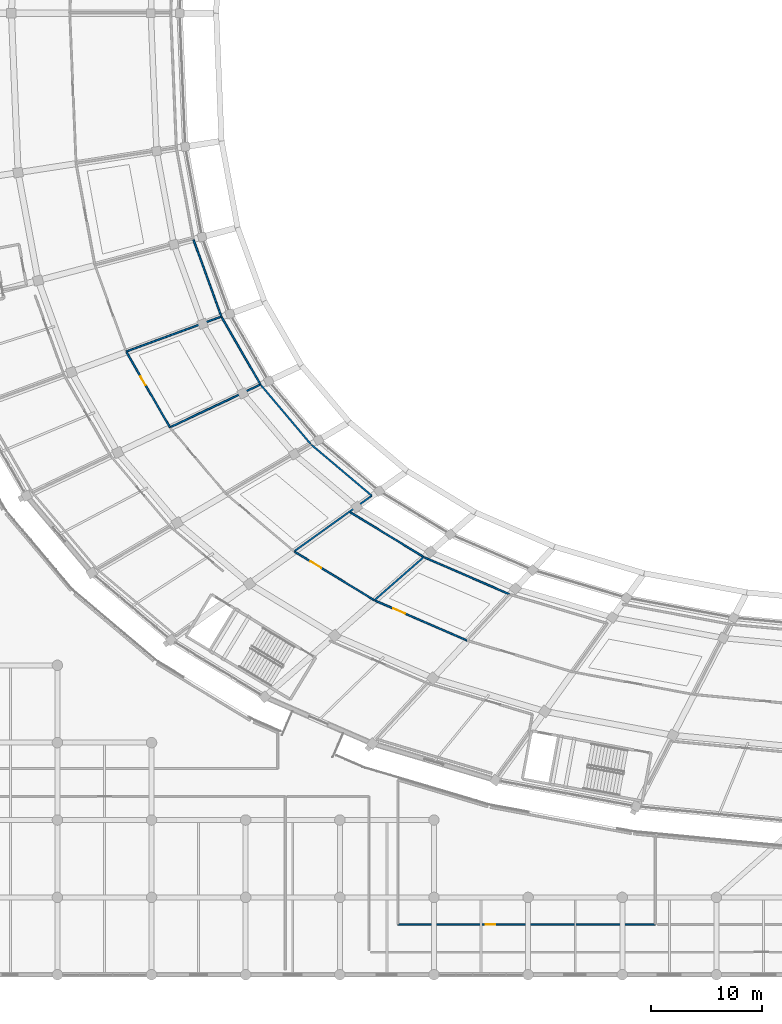
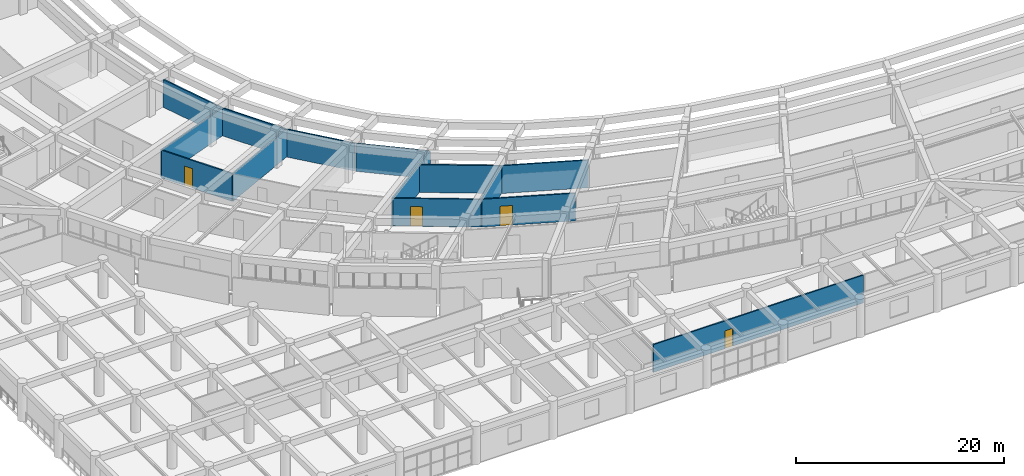
# One storey, part 94 of 145: 14 walls, 4 doors, 4 openings.
"""IFC4 building model written with IfcOpenShell, lengths in metres."""

import ifcopenshell
import ifcopenshell.guid

model = None  # the IFC model being written
_history = None  # IfcOwnerHistory: only IFC2X3 demands one
_inside = {}  # id of a spatial element -> (the spatial element, [elements in it])
_under = {}  # id of a project, library or spatial element -> (it, [spatial elements below it])
_declared = {}  # id of a project -> (the project, [libraries it declares])
_typed = {}  # id of a type object -> (the type object, [elements of that type])
_made_of = {}  # id of a material, layer set ... -> (it, [elements and type objects made of it])


def new_model(schema):
    """Start an empty IFC model of exactly this schema.

    Asked for "IFC4X3", IfcOpenShell would pick the latest addendum, in which some entities
    have other attributes; the version numbers below select the first issue.
    IFC2X3 requires an IfcOwnerHistory on every rooted entity: one is made here for all.
    """
    global model, _history
    if schema == "IFC4X3":
        model = ifcopenshell.file(schema_version=(4, 3, 0, 0))
    else:
        model = ifcopenshell.file(schema=schema)
    _inside.clear()
    _under.clear()
    _declared.clear()
    _typed.clear()
    _made_of.clear()
    _history = None
    if model.schema == "IFC2X3":
        org = make("IfcOrganization", Name="unknown")
        user = make(
            "IfcPersonAndOrganization",
            ThePerson=make("IfcPerson", FamilyName="unknown"),
            TheOrganization=org,
        )
        app = make(
            "IfcApplication",
            ApplicationDeveloper=org,
            Version="unknown",
            ApplicationFullName="unknown",
            ApplicationIdentifier="unknown",
        )
        _history = make(
            "IfcOwnerHistory",
            OwningUser=user,
            OwningApplication=app,
            ChangeAction="ADDED",
            CreationDate=0,
        )
    return model


def make(cls, **values):
    """One entity of the class cls with the attributes given. An attribute that is None is left unset."""
    return model.create_entity(
        cls, **{name: value for name, value in values.items() if value is not None}
    )


def rooted(cls, **values):
    """An entity with a GlobalId (a new one), such as an element, a storey or a relation."""
    return make(cls, GlobalId=ifcopenshell.guid.new(), OwnerHistory=_history, **values)


def si_unit(unit_type, name, prefix=None):
    """IfcSIUnit, for example si_unit("LENGTHUNIT", "METRE", prefix="MILLI")."""
    return make("IfcSIUnit", UnitType=unit_type, Prefix=prefix, Name=name)


def assignment(units):
    """IfcUnitAssignment: the units of a project."""
    return None if units is None else make("IfcUnitAssignment", Units=units)


def point(xyz):
    """IfcCartesianPoint."""
    return None if xyz is None else make("IfcCartesianPoint", Coordinates=xyz)


def direction(xyz):
    """IfcDirection."""
    return None if xyz is None else make("IfcDirection", DirectionRatios=xyz)


def frame(location, z_axis=None, x_axis=None):
    """IfcAxis2Placement3D, a coordinate frame: its origin and axes. An axis left out is left unset."""
    return make(
        "IfcAxis2Placement3D",
        Location=point(location),
        Axis=direction(z_axis),
        RefDirection=direction(x_axis),
    )


def frame_2d(location, x_axis=None):
    """IfcAxis2Placement2D, a coordinate frame in the plane: its origin and x axis."""
    return make(
        "IfcAxis2Placement2D", Location=point(location), RefDirection=direction(x_axis)
    )


def origin():
    """The frame at (0, 0, 0) with its axes left unset."""
    return frame((0.0, 0.0, 0.0))


def place(relative_to, where):
    """IfcLocalPlacement: puts the frame where relative to a parent placement (None: the world)."""
    return make(
        "IfcLocalPlacement", PlacementRelTo=relative_to, RelativePlacement=where
    )


def context(
    kind, dimensions, precision=None, world=None, true_north=None, identifier=None
):
    """IfcGeometricRepresentationContext, for example the 3D "Model" context."""
    return make(
        "IfcGeometricRepresentationContext",
        ContextIdentifier=identifier,
        ContextType=kind,
        CoordinateSpaceDimension=dimensions,
        Precision=precision,
        WorldCoordinateSystem=world,
        TrueNorth=true_north,
    )


def subcontext(parent, identifier, kind, view, scale=None):
    """IfcGeometricRepresentationSubContext, for example "Body" below "Model"."""
    return make(
        "IfcGeometricRepresentationSubContext",
        ContextIdentifier=identifier,
        ContextType=kind,
        ParentContext=parent,
        TargetScale=scale,
        TargetView=view,
    )


def project(units=None, contexts=None):
    """IfcProject with its units and contexts."""
    return rooted(
        "IfcProject",
        Name="project",
        RepresentationContexts=contexts,
        UnitsInContext=assignment(units),
    )


def spatial(cls, under=None, at=None, **own):
    """A site, building, storey or space (cls), placed at a placement, below another one or the project."""
    s = rooted(cls, ObjectPlacement=at, **own)
    if under is not None:
        _under.setdefault(under.id(), (under, []))[1].append(s)
    return s


def profile(cls, at=None, kind="AREA", **sizes):
    """A parametric profile (cls). Its sizes go by their IFC names, for example OverallWidth=200.0."""
    return make(cls, ProfileType=kind, Position=at, **sizes)


def rectangle(**sizes):
    """IfcRectangleProfileDef."""
    return profile("IfcRectangleProfileDef", **sizes)


def extrude(swept, where, along, depth):
    """IfcExtrudedAreaSolid: the profile swept, set in the frame where, extruded along a direction by depth."""
    return make(
        "IfcExtrudedAreaSolid",
        SweptArea=swept,
        Position=where,
        ExtrudedDirection=direction(along),
        Depth=depth,
    )


def shape(context_of_items, identifier, shape_type, items):
    """IfcShapeRepresentation: the items that make up one representation, for example the "Body"."""
    return make(
        "IfcShapeRepresentation",
        ContextOfItems=context_of_items,
        RepresentationIdentifier=identifier,
        RepresentationType=shape_type,
        Items=items,
    )


def material(Name=None, Category=None):
    """IfcMaterial."""
    return make("IfcMaterial", Name=Name, Category=Category)


def layer(
    of_material, thickness, ventilated=None, Name=None, Category=None, Priority=None
):
    """IfcMaterialLayer: one layer of a wall or slab, of a material (None: an air gap)."""
    return make(
        "IfcMaterialLayer",
        Material=of_material,
        LayerThickness=thickness,
        IsVentilated=ventilated,
        Name=Name,
        Category=Category,
        Priority=Priority,
    )


def layer_set(layers, Name=None):
    """IfcMaterialLayerSet."""
    return make("IfcMaterialLayerSet", MaterialLayers=layers, LayerSetName=Name)


def made_of(thing, what):
    """Note that an element or type object is made of a material, layer set ...; save() writes the relation."""
    if what is not None:
        _made_of.setdefault(what.id(), (what, []))[1].append(thing)
    return thing


def type_object(cls, material=None, **own):
    """A type object (cls), such as IfcWallType, which elements share."""
    return made_of(rooted(cls, **own), material)


def element(
    cls,
    number,
    at=None,
    inside=None,
    cuts=None,
    type_object=None,
    material=None,
    context=None,
    identifier="Body",
    shape_type=None,
    held_by="IfcProductDefinitionShape",
    body=None,
    shapes=None,
    **own,
):
    """One element of the class cls, such as IfcWall. Its Tag is "e" and its number.

    at: its placement. inside: the storey or other place that contains it. cuts: it is an
    opening in that element (IfcRelVoidsElement). A single representation is given by context,
    identifier, shape_type and body (its items); several are given by shapes. held_by: the class
    of the entity that holds the representations. save() writes the other relations.
    """
    e = rooted(cls, Tag="e%d" % number, ObjectPlacement=at, **own)
    if body is not None:
        shapes = [shape(context, identifier, shape_type, body)]
    if shapes is not None:
        e.Representation = make(held_by, Representations=shapes)
    if inside is not None:
        _inside.setdefault(inside.id(), (inside, []))[1].append(e)
    if cuts is not None:
        rooted(
            "IfcRelVoidsElement", RelatingBuildingElement=cuts, RelatedOpeningElement=e
        )
    if type_object is not None:
        _typed.setdefault(type_object.id(), (type_object, []))[1].append(e)
    return made_of(e, material)


def fill(opening, filler):
    """IfcRelFillsElement: the door or window that sits in an opening."""
    return rooted(
        "IfcRelFillsElement",
        RelatingOpeningElement=opening,
        RelatedBuildingElement=filler,
    )


def aggregate(whole, parts):
    """IfcRelAggregates: a whole, such as a stair, and the parts it consists of."""
    return rooted("IfcRelAggregates", RelatingObject=whole, RelatedObjects=parts)


def save(model, path):
    """Write the relations noted so far, then the file.

    IfcRelAggregates (storeys below a building ...), IfcRelContainedInSpatialStructure (elements
    in a storey), IfcRelDefinesByType, IfcRelAssociatesMaterial and IfcRelDeclares: one each for
    every whole, place, type object, material and project.
    """
    for whole, parts in _under.values():
        aggregate(whole, parts)
    for where, things in _inside.values():
        rooted(
            "IfcRelContainedInSpatialStructure",
            RelatedElements=things,
            RelatingStructure=where,
        )
    for kind, things in _typed.values():
        rooted("IfcRelDefinesByType", RelatedObjects=things, RelatingType=kind)
    for what, things in _made_of.values():
        rooted("IfcRelAssociatesMaterial", RelatedObjects=things, RelatingMaterial=what)
    for by, libraries in _declared.values():
        rooted("IfcRelDeclares", RelatingContext=by, RelatedDefinitions=libraries)
    model.write(path)


model = new_model("IFC4")

# Units and contexts
model_context = context("Model", 3, precision=1e-05, world=origin(), true_north=direction((0.0, 1.0)))
body_context = subcontext(model_context, "Body", "Model", "MODEL_VIEW")
ifc_project = project(units=[si_unit("LENGTHUNIT", "METRE"), si_unit("AREAUNIT", "SQUARE_METRE"), si_unit("VOLUMEUNIT", "CUBIC_METRE"), si_unit("PLANEANGLEUNIT", "RADIAN"), si_unit("MASSUNIT", "GRAM", prefix="KILO")], contexts=[model_context])

# Site, building, storey
site_placement = place(None, origin())
site = spatial("IfcSite", under=ifc_project, at=site_placement, CompositionType="ELEMENT")
building_placement = place(site_placement, origin())
building = spatial("IfcBuilding", under=site, at=building_placement, Name="Mphavela Belvedere Stadium", CompositionType="ELEMENT")
storey_placement = place(building_placement, frame((0.0, 0.0, 10.199951171875)))
storey = spatial("IfcBuildingStorey", under=building, at=storey_placement, Name="L02", CompositionType="ELEMENT", Elevation=10.199951171875)

# Wall, opening, door
ifc_material_1 = material(Name="Acoustic gypsum stud partition assembly")
ifc_layer = layer(ifc_material_1, 0.14990234375)
ifc_layer_set = layer_set([ifc_layer], Name="Acoustic gypsum stud partition assembly")
wall_type = type_object("IfcWallType", Name="WAL-PART-150", PredefinedType="PARTITIONING", material=ifc_layer_set)
wall_1_placement = place(storey_placement, frame((35.739990234375, 49.52783203125, 0.0), z_axis=(0.0, 0.0, 1.0), x_axis=(-0.500584301803, 0.865687794063, 0.0)))
wall_1 = element("IfcWall", 1, at=wall_1_placement, inside=storey, type_object=wall_type, Name="Room L02-103 corridor partition", PredefinedType="PARTITIONING", context=body_context, shape_type="SweptSolid", body=[
    extrude(rectangle(XDim=7.8369140625, YDim=0.14990234375, at=frame_2d((3.91845703125, 0.0))), origin(), (0.0, 0.0, 1.0), 3.25),
])
opening_1_placement = place(wall_1_placement, frame((4.4130859375, 0.0, 0.0)))
opening_1 = element("IfcOpeningElement", 2, at=opening_1_placement, cuts=wall_1, Name="Opening ID-205", PredefinedType="OPENING", context=body_context, shape_type="SweptSolid", body=[
    extrude(rectangle(XDim=0.89990234375, YDim=2.300048828125, at=frame_2d((0.449951171875, 1.14990234375))), frame((0.0, 0.0849609375, 0.0), z_axis=(0.0, -1.0, 0.0), x_axis=(1.0, 0.0, 0.0)), (0.0, 0.0, 1.0), 0.169921875),
])
ifc_material_2 = material(Name="Hardwood acoustic timber doorset", Category="wood")
door_type_1 = type_object("IfcDoorType", Name="DR-INT-25", OperationType="NOTDEFINED", PredefinedType="DOOR", material=ifc_material_2)
door_1_placement = place(opening_1_placement, origin())
door_1 = element("IfcDoor", 3, at=door_1_placement, inside=storey, type_object=door_type_1, Name="Room L02-103 entrance door ID-205", OperationType="SINGLE_SWING_LEFT", OverallHeight=2.300048828125, OverallWidth=0.89990234375, PredefinedType="DOOR", context=body_context, shape_type="SweptSolid", body=[
    extrude(rectangle(XDim=0.89990234375, YDim=2.300048828125, at=frame_2d((0.449951171875, 1.14990234375))), frame((0.0, 0.02490234375, 0.0), z_axis=(0.0, -1.0, 0.0), x_axis=(1.0, 0.0, 0.0)), (0.0, 0.0, 1.0), 0.050048828125),
])
fill(opening_1, door_1)

wall_2_placement = place(storey_placement, frame((54.237060546875, 33.884033203125, 0.0), z_axis=(0.0, 0.0, 1.0), x_axis=(-0.854330104408, 0.519730769439, 0.0)))
wall_2 = element("IfcWall", 4, at=wall_2_placement, inside=storey, type_object=wall_type, Name="Room L02-112 corridor partition", PredefinedType="PARTITIONING", context=body_context, shape_type="SweptSolid", body=[
    extrude(rectangle(XDim=8.420166015625, YDim=0.14990234375, at=frame_2d((4.2099609375, 0.0))), origin(), (0.0, 0.0, 1.0), 3.25),
])
opening_2_placement = place(wall_2_placement, frame((5.632080078125, 0.0, 0.0)))
opening_2 = element("IfcOpeningElement", 5, at=opening_2_placement, cuts=wall_2, Name="Opening ID-211", PredefinedType="OPENING", context=body_context, shape_type="SweptSolid", body=[
    extrude(rectangle(XDim=1.139892578125, YDim=2.300048828125, at=frame_2d((0.56982421875, 1.14990234375))), frame((0.0, 0.0849609375, 0.0), z_axis=(0.0, -1.0, 0.0), x_axis=(1.0, 0.0, 0.0)), (0.0, 0.0, 1.0), 0.169921875),
])
ifc_material_3 = material(Name="Hardwood acoustic timber doorset", Category="wood")
door_type_2 = type_object("IfcDoorType", Name="DR-INT-31", OperationType="NOTDEFINED", PredefinedType="DOOR", material=ifc_material_3)
door_2_placement = place(opening_2_placement, origin())
door_2 = element("IfcDoor", 6, at=door_2_placement, inside=storey, type_object=door_type_2, Name="Room L02-112 entrance door ID-211", OperationType="SINGLE_SWING_LEFT", OverallHeight=2.300048828125, OverallWidth=1.139892578125, PredefinedType="DOOR", context=body_context, shape_type="SweptSolid", body=[
    extrude(rectangle(XDim=1.139892578125, YDim=2.300048828125, at=frame_2d((0.56982421875, 1.14990234375))), frame((0.0, 0.02490234375, 0.0), z_axis=(0.0, -1.0, 0.0), x_axis=(1.0, 0.0, 0.0)), (0.0, 0.0, 1.0), 0.050048828125),
])
fill(opening_2, door_2)

wall_3_placement = place(storey_placement, frame((62.617919921875, 30.246826171875, 0.0), z_axis=(0.0, 0.0, 1.0), x_axis=(-0.917494590455, 0.397748257677, 0.0)))
wall_3 = element("IfcWall", 7, at=wall_3_placement, inside=storey, type_object=wall_type, Name="Room L02-114 corridor partition", PredefinedType="PARTITIONING", context=body_context, shape_type="SweptSolid", body=[
    extrude(rectangle(XDim=9.04931640625, YDim=0.14990234375, at=frame_2d((4.524658203125, 0.0))), origin(), (0.0, 0.0, 1.0), 3.25),
])
opening_3_placement = place(wall_3_placement, frame((6.103515625, 0.0, 0.0)))
opening_3 = element("IfcOpeningElement", 8, at=opening_3_placement, cuts=wall_3, Name="Opening ID-212", PredefinedType="OPENING", context=body_context, shape_type="SweptSolid", body=[
    extrude(rectangle(XDim=1.179931640625, YDim=2.300048828125, at=frame_2d((0.58984375, 1.14990234375))), frame((0.0, 0.0849609375, 0.0), z_axis=(0.0, -1.0, 0.0), x_axis=(1.0, 0.0, 0.0)), (0.0, 0.0, 1.0), 0.169921875),
])
ifc_material_4 = material(Name="Hardwood acoustic timber doorset", Category="wood")
door_type_3 = type_object("IfcDoorType", Name="DR-INT-32", OperationType="NOTDEFINED", PredefinedType="DOOR", material=ifc_material_4)
door_3_placement = place(opening_3_placement, origin())
door_3 = element("IfcDoor", 9, at=door_3_placement, inside=storey, type_object=door_type_3, Name="Room L02-114 entrance door ID-212", OperationType="SINGLE_SWING_RIGHT", OverallHeight=2.300048828125, OverallWidth=1.179931640625, PredefinedType="DOOR", context=body_context, shape_type="SweptSolid", body=[
    extrude(rectangle(XDim=1.179931640625, YDim=2.300048828125, at=frame_2d((0.58984375, 1.14990234375))), frame((0.0, 0.02490234375, 0.0), z_axis=(0.0, -1.0, 0.0), x_axis=(1.0, 0.0, 0.0)), (0.0, 0.0, 1.0), 0.050048828125),
])
fill(opening_3, door_3)

wall_4_placement = place(storey_placement, frame((79.656005859375, 4.56005859375, 0.0), z_axis=(0.0, 0.0, 1.0), x_axis=(-1.0, 0.0, 0.0)))
wall_4 = element("IfcWall", 10, at=wall_4_placement, inside=storey, type_object=wall_type, Name="Room L02-167 corridor partition", PredefinedType="PARTITIONING", context=body_context, shape_type="SweptSolid", body=[
    extrude(rectangle(XDim=23.2958984375, YDim=0.14990234375, at=frame_2d((11.64794921875, 0.0))), origin(), (0.0, 0.0, 1.0), 3.25),
])
opening_4_placement = place(wall_4_placement, frame((14.46142578125, 0.0, 0.0)))
opening_4 = element("IfcOpeningElement", 11, at=opening_4_placement, cuts=wall_4, Name="Opening ID-397", PredefinedType="OPENING", context=body_context, shape_type="SweptSolid", body=[
    extrude(rectangle(XDim=0.89990234375, YDim=2.10009765625, at=frame_2d((0.449951171875, 1.050048828125))), frame((0.0, 0.0849609375, 0.0), z_axis=(0.0, -1.0, 0.0), x_axis=(1.0, 0.0, 0.0)), (0.0, 0.0, 1.0), 0.169921875),
])
ifc_material_5 = material(Name="Hardwood acoustic timber doorset", Category="wood")
door_type_4 = type_object("IfcDoorType", Name="DR-INT-01", OperationType="NOTDEFINED", PredefinedType="DOOR", material=ifc_material_5)
door_4_placement = place(opening_4_placement, origin())
door_4 = element("IfcDoor", 12, at=door_4_placement, inside=storey, type_object=door_type_4, Name="Room L02-167 entrance door ID-397", OperationType="SINGLE_SWING_LEFT", OverallHeight=2.10009765625, OverallWidth=0.89990234375, PredefinedType="DOOR", context=body_context, shape_type="SweptSolid", body=[
    extrude(rectangle(XDim=0.89990234375, YDim=2.10009765625, at=frame_2d((0.449951171875, 1.050048828125))), frame((0.0, 0.02490234375, 0.0), z_axis=(0.0, -1.0, 0.0), x_axis=(1.0, 0.0, 0.0)), (0.0, 0.0, 1.0), 0.050048828125),
])
fill(opening_4, door_4)

# Walls
wall_5_placement = place(storey_placement, frame((37.866943359375, 66.50390625, 0.0), z_axis=(0.0, 0.0, 1.0), x_axis=(0.34104817416, -0.940045819576, 0.0)))
element("IfcWall", 13, at=wall_5_placement, inside=storey, type_object=wall_type, Name="Room divider partition L02-0363", PredefinedType="PARTITIONING", context=body_context, shape_type="SweptSolid", body=[
    extrude(rectangle(XDim=7.391845703125, YDim=0.14990234375, at=frame_2d((3.69580078125, 0.0))), origin(), (0.0, 0.0, 1.0), 3.25),
])
wall_6_placement = place(storey_placement, frame((40.387939453125, 59.55517578125, 0.0), z_axis=(0.0, 0.0, 1.0), x_axis=(-0.93834402583, -0.345702891496, 0.0)))
element("IfcWall", 14, at=wall_6_placement, inside=storey, type_object=wall_type, Name="Room divider partition L02-0364", PredefinedType="PARTITIONING", context=body_context, shape_type="SweptSolid", body=[
    extrude(rectangle(XDim=9.1708984375, YDim=0.14990234375, at=frame_2d((4.58544921875, 0.0))), origin(), (0.0, 0.0, 1.0), 3.25),
])
wall_7_placement = place(storey_placement, frame((40.42138671875, 59.482177734375, 0.0), z_axis=(0.0, 0.0, 1.0), x_axis=(0.500549390525, -0.865707980583, 0.0)))
element("IfcWall", 15, at=wall_7_placement, inside=storey, type_object=wall_type, Name="Room divider partition L02-0366", PredefinedType="PARTITIONING", context=body_context, shape_type="SweptSolid", body=[
    extrude(rectangle(XDim=7.01806640625, YDim=0.14990234375, at=frame_2d((3.509033203125, 0.0))), origin(), (0.0, 0.0, 1.0), 3.25),
])
wall_8_placement = place(storey_placement, frame((43.934326171875, 53.406494140625, 0.0), z_axis=(0.0, 0.0, 1.0), x_axis=(-0.903860081227, -0.427828182292, 0.0)))
element("IfcWall", 16, at=wall_8_placement, inside=storey, type_object=wall_type, Name="Room divider partition L02-0367", PredefinedType="PARTITIONING", context=body_context, shape_type="SweptSolid", body=[
    extrude(rectangle(XDim=9.06591796875, YDim=0.14990234375, at=frame_2d((4.532958984375, 0.0))), origin(), (0.0, 0.0, 1.0), 3.25),
])
wall_9_placement = place(storey_placement, frame((43.97998046875, 53.339599609375, 0.0), z_axis=(0.0, 0.0, 1.0), x_axis=(0.64516899819, -0.764039896716, 0.0)))
element("IfcWall", 17, at=wall_9_placement, inside=storey, type_object=wall_type, Name="Room divider partition L02-0370", PredefinedType="PARTITIONING", context=body_context, shape_type="SweptSolid", body=[
    extrude(rectangle(XDim=6.966552734375, YDim=0.14990234375, at=frame_2d((3.4833984375, 0.0))), origin(), (0.0, 0.0, 1.0), 3.25),
])
wall_10_placement = place(storey_placement, frame((48.531494140625, 47.95751953125, 0.0), z_axis=(0.0, 0.0, 1.0), x_axis=(0.764260476561, -0.644907686391, 0.0)))
element("IfcWall", 18, at=wall_10_placement, inside=storey, type_object=wall_type, Name="Room divider partition L02-0374", PredefinedType="PARTITIONING", context=body_context, shape_type="SweptSolid", body=[
    extrude(rectangle(XDim=7.1552734375, YDim=0.14990234375, at=frame_2d((3.57763671875, 0.0))), origin(), (0.0, 0.0, 1.0), 3.25),
])
wall_11_placement = place(storey_placement, frame((54.0, 43.343017578125, 0.0), z_axis=(0.0, 0.0, 1.0), x_axis=(-0.812881530735, -0.582429066058, 0.0)))
element("IfcWall", 19, at=wall_11_placement, inside=storey, type_object=wall_type, Name="Room divider partition L02-0375", PredefinedType="PARTITIONING", context=body_context, shape_type="SweptSolid", body=[
    extrude(rectangle(XDim=8.644775390625, YDim=0.14990234375, at=frame_2d((4.322265625, 0.0))), origin(), (0.0, 0.0, 1.0), 3.25),
])
wall_12_placement = place(storey_placement, frame((52.05078125, 41.847900390625, 0.0), z_axis=(0.0, 0.0, 1.0), x_axis=(0.854328586702, -0.519733264226, 0.0)))
element("IfcWall", 20, at=wall_12_placement, inside=storey, type_object=wall_type, Name="Room divider partition L02-0378", PredefinedType="PARTITIONING", context=body_context, shape_type="SweptSolid", body=[
    extrude(rectangle(XDim=7.79345703125, YDim=0.14990234375, at=frame_2d((3.896728515625, 0.0))), origin(), (0.0, 0.0, 1.0), 3.25),
])
wall_13_placement = place(storey_placement, frame((58.708984375, 37.79736328125, 0.0), z_axis=(0.0, 0.0, 1.0), x_axis=(-0.752543608061, -0.658542419261, 0.0)))
element("IfcWall", 21, at=wall_13_placement, inside=storey, type_object=wall_type, Name="Room divider partition L02-0379", PredefinedType="PARTITIONING", context=body_context, shape_type="SweptSolid", body=[
    extrude(rectangle(XDim=5.9423828125, YDim=0.14990234375, at=frame_2d((2.97119140625, 0.0))), origin(), (0.0, 0.0, 1.0), 3.25),
])
wall_14_placement = place(storey_placement, frame((58.78369140625, 37.75634765625, 0.0), z_axis=(0.0, 0.0, 1.0), x_axis=(0.917493946853, -0.397749742286, 0.0)))
element("IfcWall", 22, at=wall_14_placement, inside=storey, type_object=wall_type, Name="Room divider partition L02-0380", PredefinedType="PARTITIONING", context=body_context, shape_type="SweptSolid", body=[
    extrude(rectangle(XDim=8.377197265625, YDim=0.14990234375, at=frame_2d((4.1884765625, 0.0))), origin(), (0.0, 0.0, 1.0), 3.25),
])

save(model, "model.ifc")
